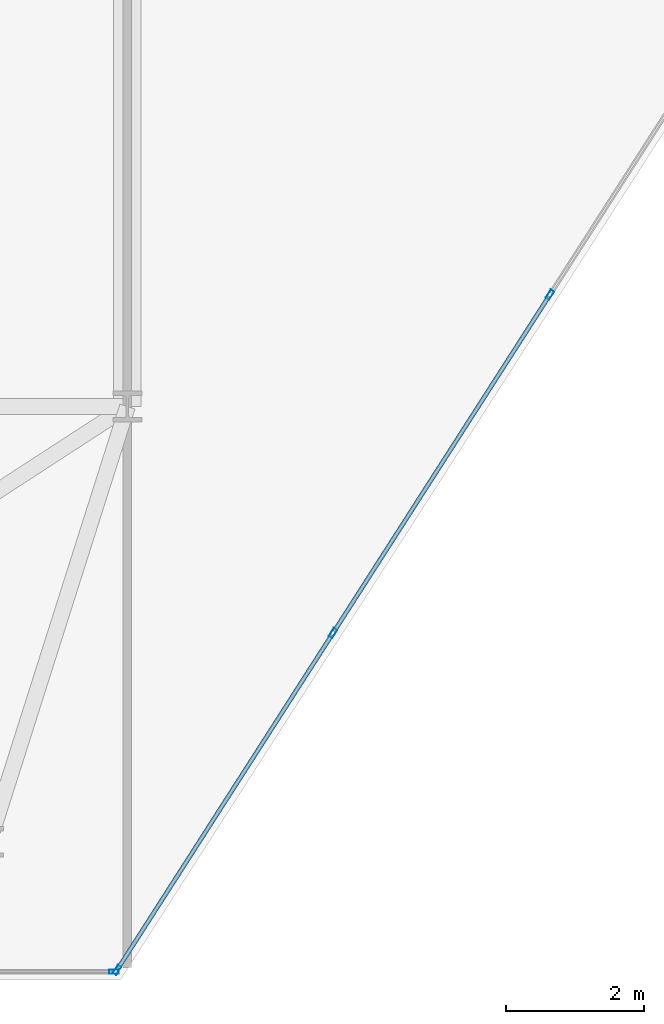
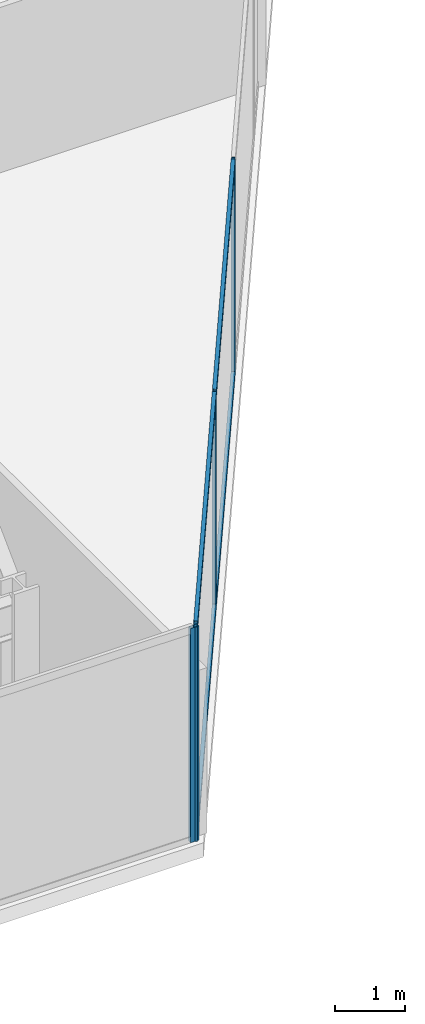
# One storey, part 7 of 26: 8 members, 2 elements without a shape of their own.
"""IFC4 building model written with IfcOpenShell, lengths in metres."""

from ifc_helpers import new_model, si_unit, direction, frame, origin, origin_2d, place, context, subcontext, project, spatial, hollow_rectangle, extrude, material, layer, layer_set, material_profile, profile_set, type_object, element, aggregate, save


model = new_model("IFC4")

# Units and contexts
model_context = context("Model", 3, precision=1e-05, world=origin(), true_north=direction((0.0, 1.0)))
body_context = subcontext(model_context, "Body", "Model", "MODEL_VIEW")
ifc_project = project(units=[si_unit("LENGTHUNIT", "METRE"), si_unit("AREAUNIT", "SQUARE_METRE"), si_unit("VOLUMEUNIT", "CUBIC_METRE"), si_unit("PLANEANGLEUNIT", "RADIAN"), si_unit("MASSUNIT", "GRAM", prefix="KILO")], contexts=[model_context])

# Site, building, storey
site_placement = place(None, origin())
site = spatial("IfcSite", under=ifc_project, at=site_placement, CompositionType="ELEMENT")
building_placement = place(site_placement, origin())
building = spatial("IfcBuilding", under=site, at=building_placement, Name="Kravanh Interchange Tower", CompositionType="ELEMENT")
storey_placement = place(building_placement, frame((0.0, 0.0, 148.0)))
storey = spatial("IfcBuildingStorey", under=building, at=storey_placement, Name="L35", CompositionType="ELEMENT", Elevation=148.0)

# Curtain wall, members
ifc_material_1 = material(Name="Anodised Bronze Aluminium", Category="aluminium")
ifc_layer = layer(ifc_material_1, 0.179931640625)
ifc_layer_set = layer_set([ifc_layer], Name="Unitised Curtain Wall System CW-Z2 Mid Office")
curtain_wall_type = type_object("IfcCurtainWallType", Name="Unitised Curtain Wall System CW-Z2 Mid Office", PredefinedType="NOTDEFINED", material=ifc_layer_set)
curtain_wall_1_placement = place(storey_placement, origin())
curtain_wall_1 = element("IfcCurtainWall", 1, at=curtain_wall_1_placement, inside=storey, type_object=curtain_wall_type, Name="L35 Unitised Curtain Wall CW-L35-05", PredefinedType="NOTDEFINED")
ifc_material_2 = material(Name="Anodised Bronze Aluminium", Category="aluminium")
ifc_material_profile_1 = material_profile(ifc_material_2, hollow_rectangle(XDim=0.06005859375, YDim=0.139892578125, WallThickness=0.00390625, at=origin_2d()), Name="ALU60X140X4")
ifc_profile_set_1 = profile_set([ifc_material_profile_1], Name="Anodised Bronze Aluminium")
member_type_1 = type_object("IfcMemberType", Name="Curtain Wall Mullion ALU60X140X4 Bronze", PredefinedType="MULLION", material=ifc_profile_set_1)
member_1_placement = place(storey_placement, frame((33.317138671875, 16.12109375, 0.0), z_axis=(0.0, 0.0, 1.0), x_axis=(0.841879939476, -0.539664865919, 0.0)))
member_1 = element("IfcMember", 2, at=member_1_placement, type_object=member_type_1, Name="CW-Z2 mullion 3", PredefinedType="MULLION", context=body_context, shape_type="SweptSolid", body=[
    extrude(hollow_rectangle(XDim=0.06005859375, YDim=0.139892578125, WallThickness=0.00390625, at=origin_2d()), origin(), (0.0, 0.0, 1.0), 3.75),
])
member_2_placement = place(storey_placement, frame((30.17578125, 11.220703125, 0.0), z_axis=(0.0, 0.0, 1.0), x_axis=(0.841879939476, -0.539664865919, 0.0)))
member_2 = element("IfcMember", 3, at=member_2_placement, type_object=member_type_1, Name="CW-Z2 mullion 4", PredefinedType="MULLION", context=body_context, shape_type="SweptSolid", body=[
    extrude(hollow_rectangle(XDim=0.06005859375, YDim=0.139892578125, WallThickness=0.00390625, at=origin_2d()), origin(), (0.0, 0.0, 1.0), 3.75),
])
member_3_placement = place(storey_placement, frame((27.050537109375, 6.34521484375, 0.0), z_axis=(0.0, 0.0, 1.0), x_axis=(0.841879939476, -0.539664865919, 0.0)))
member_3 = element("IfcMember", 4, at=member_3_placement, type_object=member_type_1, Name="CW-Z2 mullion 5", PredefinedType="MULLION", context=body_context, shape_type="SweptSolid", body=[
    extrude(hollow_rectangle(XDim=0.06005859375, YDim=0.139892578125, WallThickness=0.00390625, at=origin_2d()), origin(), (0.0, 0.0, 1.0), 3.75),
])

# Curtain wall, member
curtain_wall_2_placement = place(storey_placement, origin())
curtain_wall_2 = element("IfcCurtainWall", 5, at=curtain_wall_2_placement, inside=storey, type_object=curtain_wall_type, Name="L35 Unitised Curtain Wall CW-L35-06", PredefinedType="NOTDEFINED")
member_4_placement = place(storey_placement, frame((27.00439453125, 6.320068359375, 0.0), z_axis=(0.0, 0.0, 1.0), x_axis=(0.0, -1.0, 0.0)))
member_4 = element("IfcMember", 6, at=member_4_placement, type_object=member_type_1, Name="CW-Z2 mullion 1", PredefinedType="MULLION", context=body_context, shape_type="SweptSolid", body=[
    extrude(hollow_rectangle(XDim=0.06005859375, YDim=0.139892578125, WallThickness=0.00390625, at=origin_2d()), origin(), (0.0, 0.0, 1.0), 3.75),
])
aggregate(curtain_wall_2, [member_4])

# Member
ifc_material_3 = material(Name="Anodised Bronze Aluminium", Category="aluminium")
ifc_material_profile_2 = material_profile(ifc_material_3, hollow_rectangle(XDim=0.06005859375, YDim=0.139892578125, WallThickness=0.00390625, at=origin_2d()), Name="ALU60X140X4")
ifc_profile_set_2 = profile_set([ifc_material_profile_2], Name="Anodised Bronze Aluminium")
member_type_2 = type_object("IfcMemberType", Name="Curtain Wall Transom ALU60X140X4 Bronze", PredefinedType="USERDEFINED", material=ifc_profile_set_2)
member_5_placement = place(storey_placement, frame((33.301025390625, 16.095947265625, 0.030029296875), z_axis=(-0.539677666788, -0.84187173368, 0.0), x_axis=(0.84187173368, -0.539677666788, 0.0)))
member_5 = element("IfcMember", 7, at=member_5_placement, type_object=member_type_2, Name="CW-Z2 transom 3.1", ObjectType="TRANSOM", PredefinedType="USERDEFINED", context=body_context, shape_type="SweptSolid", body=[
    extrude(hollow_rectangle(XDim=0.06005859375, YDim=0.139892578125, WallThickness=0.00390625, at=origin_2d()), origin(), (0.0, 0.0, 1.0), 5.760986328125),
])

member_6_placement = place(storey_placement, frame((33.301025390625, 16.095947265625, 3.719970703125), z_axis=(-0.539677666788, -0.84187173368, 0.0), x_axis=(0.84187173368, -0.539677666788, 0.0)))
member_6 = element("IfcMember", 8, at=member_6_placement, type_object=member_type_2, Name="CW-Z2 transom 3.2", ObjectType="TRANSOM", PredefinedType="USERDEFINED", context=body_context, shape_type="SweptSolid", body=[
    extrude(hollow_rectangle(XDim=0.06005859375, YDim=0.139892578125, WallThickness=0.00390625, at=origin_2d()), origin(), (0.0, 0.0, 1.0), 5.760986328125),
])

member_7_placement = place(storey_placement, frame((30.15966796875, 11.1953125, 0.030029296875), z_axis=(-0.53966766312, -0.841878146398, 0.0), x_axis=(0.841878146398, -0.53966766312, 0.0)))
member_7 = element("IfcMember", 9, at=member_7_placement, type_object=member_type_2, Name="CW-Z2 transom 4.1", ObjectType="TRANSOM", PredefinedType="USERDEFINED", context=body_context, shape_type="SweptSolid", body=[
    extrude(hollow_rectangle(XDim=0.06005859375, YDim=0.139892578125, WallThickness=0.00390625, at=origin_2d()), origin(), (0.0, 0.0, 1.0), 5.73095703125),
])

member_8_placement = place(storey_placement, frame((30.15966796875, 11.1953125, 3.719970703125), z_axis=(-0.53966766312, -0.841878146398, 0.0), x_axis=(0.841878146398, -0.53966766312, 0.0)))
member_8 = element("IfcMember", 10, at=member_8_placement, type_object=member_type_2, Name="CW-Z2 transom 4.2", ObjectType="TRANSOM", PredefinedType="USERDEFINED", context=body_context, shape_type="SweptSolid", body=[
    extrude(hollow_rectangle(XDim=0.06005859375, YDim=0.139892578125, WallThickness=0.00390625, at=origin_2d()), origin(), (0.0, 0.0, 1.0), 5.73095703125),
])

aggregate(curtain_wall_1, [member_1, member_2, member_3, member_5, member_6, member_7, member_8])

save(model, "model.ifc")
